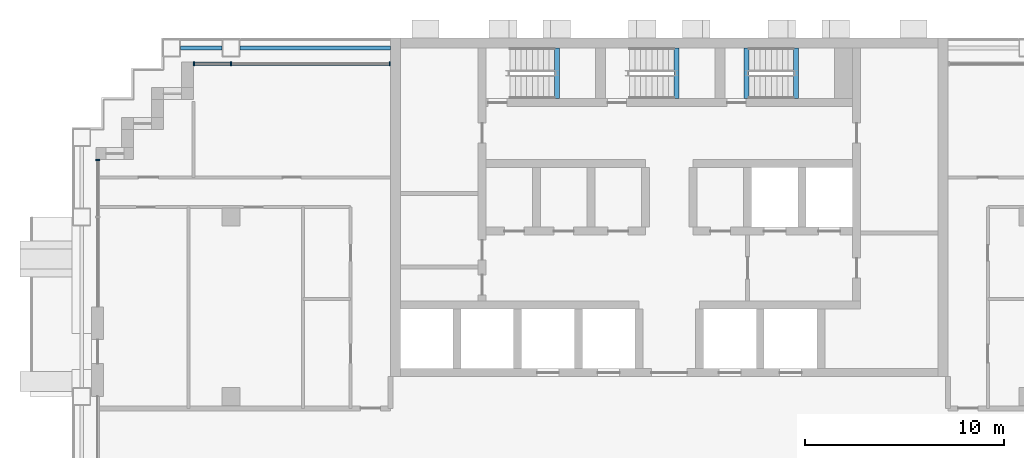
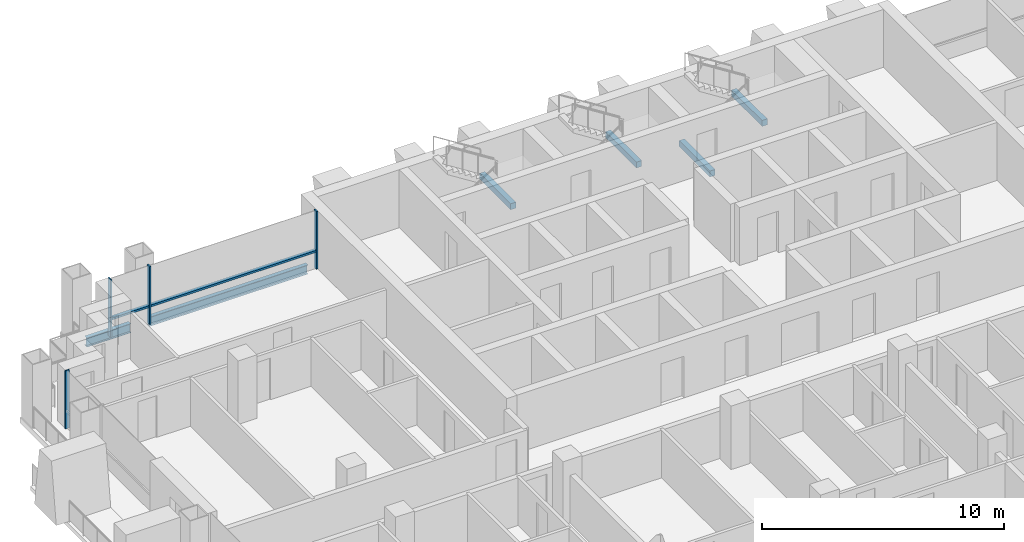
# One storey, part 4 of 17: 6 beams, 6 members, 2 elements without a shape of their own.
"""IFC4 building model written with IfcOpenShell, lengths in metres."""

from ifc_helpers import new_model, si_unit, direction, frame, origin, origin_2d, place, context, subcontext, project, spatial, rectangle, i_section, extrude, material, material_profile, profile_set, type_object, element, aggregate, save


model = new_model("IFC4")

# Units and contexts
model_context = context("Model", 3, precision=1e-05, world=origin(), true_north=direction((0.0, 1.0)))
body_context = subcontext(model_context, "Body", "Model", "MODEL_VIEW")
ifc_project = project(units=[si_unit("LENGTHUNIT", "METRE"), si_unit("AREAUNIT", "SQUARE_METRE"), si_unit("VOLUMEUNIT", "CUBIC_METRE"), si_unit("PLANEANGLEUNIT", "RADIAN"), si_unit("MASSUNIT", "GRAM", prefix="KILO")], contexts=[model_context])

# Site, building, storey
site_placement = place(None, origin())
site = spatial("IfcSite", under=ifc_project, at=site_placement, CompositionType="ELEMENT")
building_placement = place(site_placement, origin())
building = spatial("IfcBuilding", under=site, at=building_placement, Name="Vidyagriha Tower", CompositionType="ELEMENT")
storey_placement = place(building_placement, frame((0.0, 0.0, 87.10009765625)))
storey = spatial("IfcBuildingStorey", under=building, at=storey_placement, Name="L22", CompositionType="ELEMENT", Elevation=87.10009765625)

# Beams
ifc_material_1 = material(Name="Steel ASTM A992 Grade 50", Category="steel")
ifc_material_profile_1 = material_profile(ifc_material_1, i_section(OverallWidth=0.19189453125, OverallDepth=0.46240234375, WebThickness=0.010498046875, FlangeThickness=0.017578125, at=origin_2d()), Name="W18X60")
ifc_profile_set_1 = profile_set([ifc_material_profile_1], Name="Steel ASTM A992 Grade 50")
beam_type_1 = type_object("IfcBeamType", Name="Edge beam W18X60", PredefinedType="SPANDREL", material=ifc_profile_set_1)
beam_1_placement = place(storey_placement, frame((-24.550048828125, 19.5, -0.51123046875), z_axis=(1.0, 0.0, 0.0), x_axis=(0.0, 1.0, 0.0)))
element("IfcBeam", 1, at=beam_1_placement, inside=storey, type_object=beam_type_1, Name="st-beam-L22-NW20", PredefinedType="SPANDREL", context=body_context, shape_type="SweptSolid", body=[
    extrude(i_section(OverallWidth=0.19189453125, OverallDepth=0.46240234375, WebThickness=0.010498046875, FlangeThickness=0.017578125, at=origin_2d()), origin(), (0.0, 0.0, 1.0), 2.10009765625),
])
beam_2_placement = place(storey_placement, frame((-21.550048828125, 19.5, -0.51123046875), z_axis=(1.0, 0.0, 0.0), x_axis=(0.0, 1.0, 0.0)))
element("IfcBeam", 2, at=beam_2_placement, inside=storey, type_object=beam_type_1, Name="st-beam-L22-NC24", PredefinedType="SPANDREL", context=body_context, shape_type="SweptSolid", body=[
    extrude(i_section(OverallWidth=0.19189453125, OverallDepth=0.46240234375, WebThickness=0.010498046875, FlangeThickness=0.017578125, at=origin_2d()), origin(), (0.0, 0.0, 1.0), 7.550048828125),
])

# Curtain wall, members
ifc_material_2 = material(Name="Aluminium and glass curtain wall", Category="aluminium")
curtain_wall_type = type_object("IfcCurtainWallType", Name="Dwelling skin unitised curtain wall", PredefinedType="USERDEFINED", material=ifc_material_2)
curtain_wall_1_placement = place(storey_placement, origin())
curtain_wall_1 = element("IfcCurtainWall", 3, at=curtain_wall_1_placement, inside=storey, type_object=curtain_wall_type, Name="CW1 dwelling skin", ObjectType="UNITISED", PredefinedType="USERDEFINED")
ifc_material_3 = material(Name="Aluminium black anodised", Category="aluminium")
ifc_material_profile_2 = material_profile(ifc_material_3, rectangle(XDim=0.199951171875, YDim=0.070068359375, at=origin_2d()), Name="Mullion 70x200 black aluminium")
ifc_profile_set_2 = profile_set([ifc_material_profile_2], Name="Aluminium black anodised")
member_type_1 = type_object("IfcMemberType", Name="Mullion 70x200 black aluminium", PredefinedType="MULLION", material=ifc_profile_set_2)
member_1_placement = place(storey_placement, frame((-14.034912109375, 18.699951171875, 0.0), z_axis=(0.0, 0.0, 1.0), x_axis=(0.0, -1.0, 0.0)))
member_1 = element("IfcMember", 4, at=member_1_placement, type_object=member_type_1, Name="CW1 mullion 1", PredefinedType="MULLION", context=body_context, shape_type="SweptSolid", body=[
    extrude(rectangle(XDim=0.199951171875, YDim=0.070068359375, at=origin_2d()), origin(), (0.0, 0.0, 1.0), 2.919921875),
])
member_2_placement = place(storey_placement, frame((-22.0, 18.699951171875, 0.0), z_axis=(0.0, 0.0, 1.0), x_axis=(0.0, -1.0, 0.0)))
member_2 = element("IfcMember", 5, at=member_2_placement, type_object=member_type_1, Name="CW1 mullion 2", PredefinedType="MULLION", context=body_context, shape_type="SweptSolid", body=[
    extrude(rectangle(XDim=0.199951171875, YDim=0.070068359375, at=origin_2d()), origin(), (0.0, 0.0, 1.0), 2.919921875),
])
member_3_placement = place(storey_placement, frame((-23.864990234375, 18.699951171875, 0.0), z_axis=(0.0, 0.0, 1.0), x_axis=(0.0, -1.0, 0.0)))
member_3 = element("IfcMember", 6, at=member_3_placement, type_object=member_type_1, Name="CW1 mullion 3", PredefinedType="MULLION", context=body_context, shape_type="SweptSolid", body=[
    extrude(rectangle(XDim=0.199951171875, YDim=0.070068359375, at=origin_2d()), origin(), (0.0, 0.0, 1.0), 2.919921875),
])

# Curtain wall, member
curtain_wall_2_placement = place(storey_placement, origin())
curtain_wall_2 = element("IfcCurtainWall", 7, at=curtain_wall_2_placement, inside=storey, type_object=curtain_wall_type, Name="CW1 dwelling skin", ObjectType="UNITISED", PredefinedType="USERDEFINED")
member_4_placement = place(storey_placement, frame((-28.699951171875, 13.864990234375, 0.0)))
member_4 = element("IfcMember", 8, at=member_4_placement, type_object=member_type_1, Name="CW1 mullion 1", PredefinedType="MULLION", context=body_context, shape_type="SweptSolid", body=[
    extrude(rectangle(XDim=0.199951171875, YDim=0.070068359375, at=origin_2d()), origin(), (0.0, 0.0, 1.0), 2.919921875),
])
aggregate(curtain_wall_2, [member_4])

# Beams
ifc_material_4 = material(Name="Concrete C40/50", Category="concrete")
ifc_material_profile_3 = material_profile(ifc_material_4, rectangle(XDim=0.25, YDim=0.300048828125, at=origin_2d()), Name="Stair landing bearing beam 250x300")
ifc_profile_set_3 = profile_set([ifc_material_profile_3], Name="Concrete C40/50")
beam_type_2 = type_object("IfcBeamType", Name="Stair landing bearing beam 250x300", PredefinedType="BEAM", material=ifc_profile_set_3)
for number, where, z_axis, x_axis, name in (
    (9, (3.875, 16.949951171875, -0.43017578125), (0.0, 1.0, 0.0), (-1.0, 0.0, 0.0), "ST3 floor landing bearing beam L22"),
    (10, (-5.635009765625, 16.949951171875, 1.25), (0.0, 1.0, 0.0), (-1.0, 0.0, 0.0), "ST1 landing bearing beam L22"),
    (11, (0.364990234375, 16.949951171875, 1.25), (0.0, 1.0, 0.0), (-1.0, 0.0, 0.0), "ST2 landing bearing beam L22"),
    (12, (6.364990234375, 16.949951171875, 1.25), (0.0, 1.0, 0.0), (-1.0, 0.0, 0.0), "ST3 landing bearing beam L22"),
):
    element("IfcBeam", number, at=place(storey_placement, frame(where, z_axis=z_axis, x_axis=x_axis)), inside=storey, type_object=beam_type_2, Name=name, PredefinedType="BEAM", context=body_context, shape_type="SweptSolid", body=[
        extrude(rectangle(XDim=0.25, YDim=0.300048828125, at=origin_2d()), origin(), (0.0, 0.0, 1.0), 2.550048828125),
    ])

# Member
ifc_material_5 = material(Name="Aluminium black anodised", Category="aluminium")
ifc_material_profile_4 = material_profile(ifc_material_5, rectangle(XDim=0.159912109375, YDim=0.10009765625, at=origin_2d()), Name="Transom 100x160 black aluminium")
ifc_profile_set_4 = profile_set([ifc_material_profile_4], Name="Aluminium black anodised")
member_type_2 = type_object("IfcMemberType", Name="Transom 100x160 black aluminium", PredefinedType="USERDEFINED", material=ifc_profile_set_4)
member_5_placement = place(storey_placement, frame((-14.070068359375, 18.699951171875, 0.89990234375), z_axis=(-1.0, 0.0, 0.0), x_axis=(0.0, -1.0, 0.0)))
member_5 = element("IfcMember", 13, at=member_5_placement, type_object=member_type_2, Name="CW1 transom 1.1", ObjectType="TRANSOM", PredefinedType="USERDEFINED", context=body_context, shape_type="SweptSolid", body=[
    extrude(rectangle(XDim=0.159912109375, YDim=0.10009765625, at=origin_2d()), origin(), (0.0, 0.0, 1.0), 7.89501953125),
])

member_6_placement = place(storey_placement, frame((-22.034912109375, 18.699951171875, 0.89990234375), z_axis=(-1.0, 0.0, 0.0), x_axis=(0.0, -1.0, 0.0)))
member_6 = element("IfcMember", 14, at=member_6_placement, type_object=member_type_2, Name="CW1 transom 2.1", ObjectType="TRANSOM", PredefinedType="USERDEFINED", context=body_context, shape_type="SweptSolid", body=[
    extrude(rectangle(XDim=0.159912109375, YDim=0.10009765625, at=origin_2d()), origin(), (0.0, 0.0, 1.0), 1.795166015625),
])

aggregate(curtain_wall_1, [member_1, member_2, member_3, member_5, member_6])

save(model, "model.ifc")
